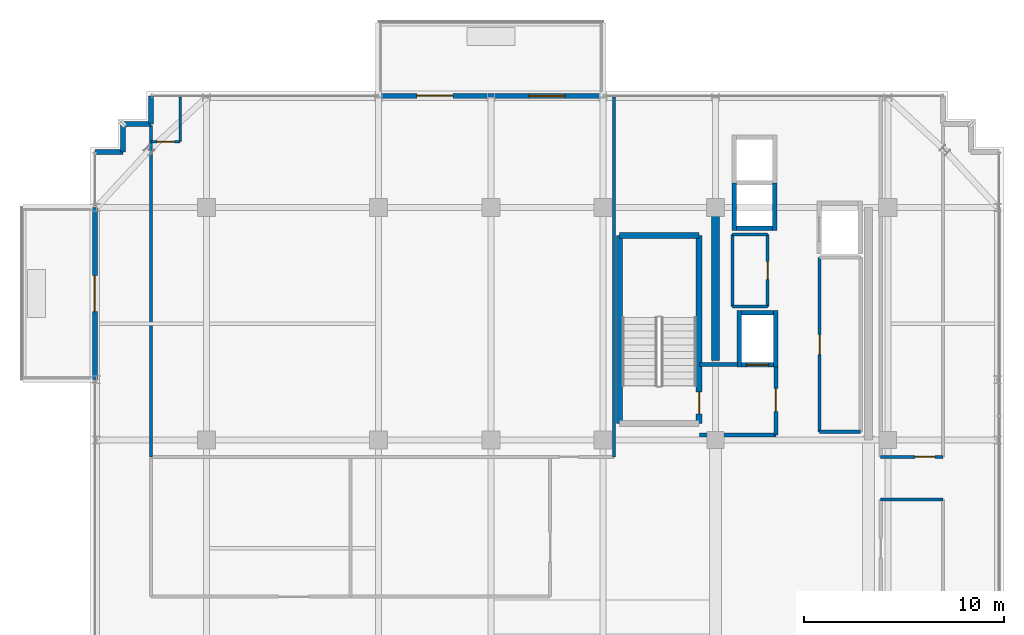
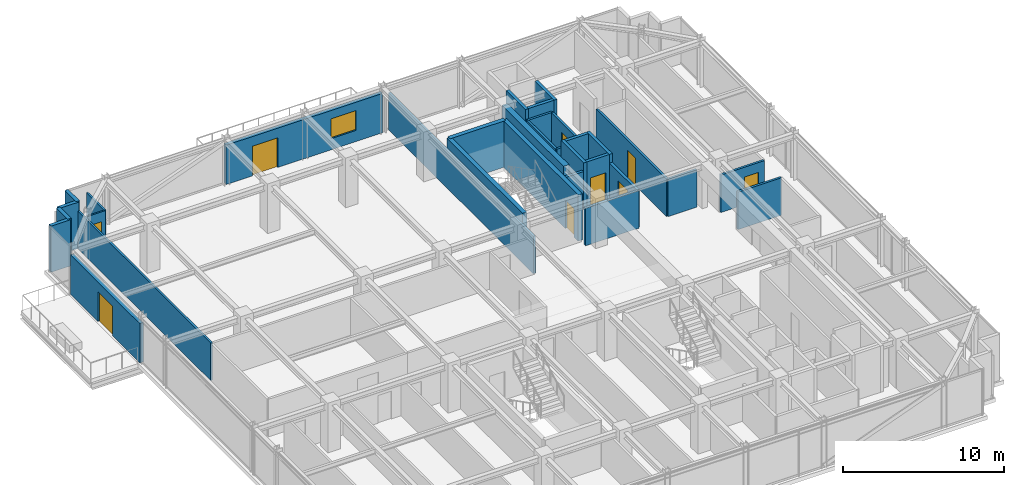
# One storey, part 32 of 36: 32 walls, 9 doors, 1 window, 10 openings.
"""IFC4 building model written with IfcOpenShell, lengths in metres."""

from ifc_helpers import new_model, si_unit, direction, frame, frame_2d, origin, place, context, subcontext, project, spatial, rectangle, extrude, source, transform, mapped, material, layer, layer_set, type_object, element, fill, save


model = new_model("IFC4")

# Units and contexts
model_context = context("Model", 3, precision=1e-05, world=origin(), true_north=direction((0.0, 1.0)))
body_context = subcontext(model_context, "Body", "Model", "MODEL_VIEW")
ifc_project = project(units=[si_unit("LENGTHUNIT", "METRE"), si_unit("AREAUNIT", "SQUARE_METRE"), si_unit("VOLUMEUNIT", "CUBIC_METRE"), si_unit("PLANEANGLEUNIT", "RADIAN"), si_unit("MASSUNIT", "GRAM", prefix="KILO")], contexts=[model_context])

# Site, building, storey
site_placement = place(None, origin())
site = spatial("IfcSite", under=ifc_project, at=site_placement, CompositionType="ELEMENT")
building_placement = place(site_placement, origin())
building = spatial("IfcBuilding", under=site, at=building_placement, Name="Nahalor Promenade Grand Hotel", CompositionType="ELEMENT")
storey_placement = place(building_placement, frame((0.0, 0.0, 319.550048828125)))
storey = spatial("IfcBuildingStorey", under=building, at=storey_placement, Name="L82", CompositionType="ELEMENT", Elevation=319.550048828125)

# Walls
ifc_material_1 = material(Name="Concrete B-50 (C40/50)", Category="concrete")
ifc_layer_1 = layer(ifc_material_1, 0.39990234375)
ifc_layer_set_1 = layer_set([ifc_layer_1], Name="Concrete B-50 (C40/50)")
wall_type_1 = type_object("IfcWallType", Name="Wall-CoreShear-400", PredefinedType="SHEAR", material=ifc_layer_set_1)
shared_shape_1 = source(origin(), body_context, "Body", "SweptSolid", [
    extrude(rectangle(XDim=7.64990234375, YDim=0.39990234375, at=frame_2d((3.824951171875, 0.0))), origin(), (0.0, 0.0, 1.0), 3.5),
])
wall_1_placement = place(storey_placement, frame((8.39990234375, 9.35009765625, 0.0), z_axis=(0.0, 0.0, 1.0), x_axis=(0.0, 1.0, 0.0)))
element("IfcWall", 1, at=wall_1_placement, inside=storey, type_object=wall_type_1, Name="CWALL-L82-NW", PredefinedType="SHEAR", context=body_context, shape_type="MappedRepresentation", body=[
    mapped(shared_shape_1, transform((0.0, 0.0, 0.0), scale=1.0)),
])
ifc_layer_2 = layer(ifc_material_1, 0.300048828125)
ifc_layer_set_2 = layer_set([ifc_layer_2], Name="Concrete B-50 (C40/50)")
wall_type_2 = type_object("IfcWallType", Name="Wall-ShaftShear-300", PredefinedType="SHEAR", material=ifc_layer_set_2)
shared_shape_2 = source(origin(), body_context, "Body", "SweptSolid", [
    extrude(rectangle(XDim=3.97998046875, YDim=0.300048828125, at=frame_2d((1.989990234375, 0.0))), origin(), (0.0, 0.0, 1.0), 3.5),
])
wall_2_placement = place(storey_placement, frame((3.610107421875, 15.590087890625, 0.0), z_axis=(0.0, 0.0, 1.0), x_axis=(1.0, 0.0, 0.0)))
element("IfcWall", 2, at=wall_2_placement, inside=storey, type_object=wall_type_2, Name="L82 Exit Stair ST1 Shaft Wall N", PredefinedType="SHEAR", context=body_context, shape_type="MappedRepresentation", body=[
    mapped(shared_shape_2, transform((0.0, 0.0, 0.0), scale=1.0)),
])
shared_shape_3 = source(origin(), body_context, "Body", "SweptSolid", [
    extrude(rectangle(XDim=9.380126953125, YDim=0.300048828125, at=frame_2d((4.68994140625, 0.0))), origin(), (0.0, 0.0, 1.0), 3.5),
])
wall_3_placement = place(storey_placement, frame((3.610107421875, 6.2099609375, 0.0), z_axis=(0.0, 0.0, 1.0), x_axis=(0.0, 1.0, 0.0)))
element("IfcWall", 3, at=wall_3_placement, inside=storey, type_object=wall_type_2, Name="L82 Exit Stair ST1 Shaft Wall W", PredefinedType="SHEAR", context=body_context, shape_type="MappedRepresentation", body=[
    mapped(shared_shape_3, transform((0.0, 0.0, 0.0), scale=1.0)),
])

# Wall, opening, door
wall_4_placement = place(storey_placement, frame((7.590087890625, 6.2099609375, 0.0), z_axis=(0.0, 0.0, 1.0), x_axis=(0.0, 1.0, 0.0)))
wall_4 = element("IfcWall", 4, at=wall_4_placement, inside=storey, type_object=wall_type_2, Name="L82 Exit Stair ST1 Shaft Wall E", PredefinedType="SHEAR", context=body_context, shape_type="MappedRepresentation", body=[
    mapped(shared_shape_3, transform((0.0, 0.0, 0.0), scale=1.0)),
])
opening_1_placement = place(wall_4_placement, frame((0.489990234375, 0.0, 0.0)))
opening_1 = element("IfcOpeningElement", 5, at=opening_1_placement, cuts=wall_4, Name="Opening D-ST1", PredefinedType="OPENING", context=body_context, shape_type="SweptSolid", body=[
    extrude(rectangle(XDim=1.10009765625, YDim=2.14990234375, at=frame_2d((0.550048828125, 1.074951171875))), frame((0.0, 0.159912109375, 0.0), z_axis=(0.0, -1.0, 0.0), x_axis=(1.0, 0.0, 0.0)), (0.0, 0.0, 1.0), 0.320068359375),
])
ifc_material_2 = material(Name="Steel S355JR", Category="steel")
door_type_1 = type_object("IfcDoorType", Name="Door-StairFire-1100", OperationType="NOTDEFINED", PredefinedType="DOOR", material=ifc_material_2)
shared_shape_4 = source(origin(), body_context, "Body", "SweptSolid", [
    extrude(rectangle(XDim=1.10009765625, YDim=2.14990234375, at=frame_2d((0.550048828125, 1.074951171875))), frame((0.0, 0.02490234375, 0.0), z_axis=(0.0, -1.0, 0.0), x_axis=(1.0, 0.0, 0.0)), (0.0, 0.0, 1.0), 0.050048828125),
])
door_1_placement = place(opening_1_placement, origin())
door_1 = element("IfcDoor", 6, at=door_1_placement, inside=storey, type_object=door_type_1, Name="DR-STAIR-ST1-L82", OperationType="SINGLE_SWING_LEFT", OverallHeight=2.14990234375, OverallWidth=1.10009765625, PredefinedType="DOOR", context=body_context, shape_type="MappedRepresentation", body=[
    mapped(shared_shape_4, transform((0.0, 0.0, 0.0), scale=1.0)),
])
fill(opening_1, door_1)

# Walls
ifc_layer_3 = layer(ifc_material_1, 0.219970703125)
ifc_layer_set_3 = layer_set([ifc_layer_3], Name="Concrete B-50 (C40/50)")
wall_type_3 = type_object("IfcWallType", Name="Wall-LiftShaft-220", PredefinedType="SHEAR", material=ifc_layer_set_3)
shared_shape_5 = source(origin(), body_context, "Body", "SweptSolid", [
    extrude(rectangle(XDim=1.820068359375, YDim=0.219970703125, at=frame_2d((0.91015625, 0.0))), origin(), (0.0, 0.0, 1.0), 3.5),
])
wall_5_placement = place(storey_placement, frame((9.43994140625, 15.949951171875, 0.0), z_axis=(0.0, 0.0, 1.0), x_axis=(1.0, 0.0, 0.0)))
element("IfcWall", 7, at=wall_5_placement, inside=storey, type_object=wall_type_3, Name="L82 Lift OB1 Hoistway Wall S", PredefinedType="SHEAR", context=body_context, shape_type="MappedRepresentation", body=[
    mapped(shared_shape_5, transform((0.0, 0.0, 0.0), scale=1.0)),
])
shared_shape_6 = source(origin(), body_context, "Body", "SweptSolid", [
    extrude(rectangle(XDim=2.385009765625, YDim=0.219970703125, at=frame_2d((1.1923828125, 0.0))), origin(), (0.0, 0.0, 1.0), 3.5),
])
for number, where, z_axis, x_axis, name in (
    (8, (9.330078125, 15.840087890625, 0.0), (0.0, 0.0, 1.0), (0.0, 1.0, 0.0), "L82 Lift OB1 Hoistway Wall W"),
    (9, (11.3701171875, 15.840087890625, 0.0), (0.0, 0.0, 1.0), (0.0, 1.0, 0.0), "L82 Lift OB1 Hoistway Wall E"),
):
    element("IfcWall", number, at=place(storey_placement, frame(where, z_axis=z_axis, x_axis=x_axis)), inside=storey, type_object=wall_type_3, Name=name, PredefinedType="SHEAR", context=body_context, shape_type="MappedRepresentation", body=[
        mapped(shared_shape_6, transform((0.0, 0.0, 0.0), scale=1.0)),
    ])
shared_shape_7 = source(origin(), body_context, "Body", "SweptSolid", [
    extrude(rectangle(XDim=2.820068359375, YDim=0.219970703125, at=frame_2d((1.41015625, 0.0))), origin(), (0.0, 0.0, 1.0), 3.5),
])
for number, where, z_axis, x_axis, name in (
    (10, (9.580078125, 9.0400390625, 0.0), (0.0, 0.0, 1.0), (0.0, 1.0, 0.0), "L82 Lift FL1 Hoistway Wall W"),
    (11, (11.419921875, 9.0400390625, 0.0), (0.0, 0.0, 1.0), (0.0, 1.0, 0.0), "L82 Lift FL1 Hoistway Wall E"),
):
    element("IfcWall", number, at=place(storey_placement, frame(where, z_axis=z_axis, x_axis=x_axis)), inside=storey, type_object=wall_type_3, Name=name, PredefinedType="SHEAR", context=body_context, shape_type="MappedRepresentation", body=[
        mapped(shared_shape_7, transform((0.0, 0.0, 0.0), scale=1.0)),
    ])

# Wall, opening, door
shared_shape_8 = source(origin(), body_context, "Body", "SweptSolid", [
    extrude(rectangle(XDim=1.6201171875, YDim=0.219970703125, at=frame_2d((0.81005859375, 0.0))), origin(), (0.0, 0.0, 1.0), 3.5),
])
wall_6_placement = place(storey_placement, frame((9.68994140625, 9.14990234375, 0.0), z_axis=(0.0, 0.0, 1.0), x_axis=(1.0, 0.0, 0.0)))
wall_6 = element("IfcWall", 12, at=wall_6_placement, inside=storey, type_object=wall_type_3, Name="L82 Lift FL1 Hoistway Wall S", PredefinedType="SHEAR", context=body_context, shape_type="MappedRepresentation", body=[
    mapped(shared_shape_8, transform((0.0, 0.0, 0.0), scale=1.0)),
])
opening_2_placement = place(wall_6_placement, frame((0.260009765625, 0.0, 0.0)))
opening_2 = element("IfcOpeningElement", 13, at=opening_2_placement, cuts=wall_6, Name="Opening LD-02", PredefinedType="OPENING", context=body_context, shape_type="SweptSolid", body=[
    extrude(rectangle(XDim=1.10009765625, YDim=2.199951171875, at=frame_2d((0.550048828125, 1.10009765625))), frame((0.0, 0.119873046875, 0.0), z_axis=(0.0, -1.0, 0.0), x_axis=(1.0, 0.0, 0.0)), (0.0, 0.0, 1.0), 0.239990234375),
])
door_type_2 = type_object("IfcDoorType", Name="Door-LiftFF-1100", OperationType="DOUBLE_DOOR_SLIDING", PredefinedType="DOOR", material=ifc_material_2)
shared_shape_9 = source(origin(), body_context, "Body", "SweptSolid", [
    extrude(rectangle(XDim=1.10009765625, YDim=2.199951171875, at=frame_2d((0.550048828125, 1.10009765625))), frame((0.0, 0.02490234375, 0.0), z_axis=(0.0, -1.0, 0.0), x_axis=(1.0, 0.0, 0.0)), (0.0, 0.0, 1.0), 0.050048828125),
])
door_2_placement = place(opening_2_placement, frame((1.10009765625, 0.0, 0.0), z_axis=(0.0, 0.0, 1.0), x_axis=(-1.0, 0.0, 0.0)))
door_2 = element("IfcDoor", 14, at=door_2_placement, inside=storey, type_object=door_type_2, Name="DR-LIFT-FL1-L82", OperationType="DOUBLE_DOOR_SLIDING", OverallHeight=2.199951171875, OverallWidth=1.10009765625, PredefinedType="DOOR", context=body_context, shape_type="MappedRepresentation", body=[
    mapped(shared_shape_9, transform((0.0, 0.0, 0.0), scale=1.0)),
])
fill(opening_2, door_2)

# Walls
wall_7_placement = place(storey_placement, frame((9.68994140625, 11.75, 0.0), z_axis=(0.0, 0.0, 1.0), x_axis=(1.0, 0.0, 0.0)))
element("IfcWall", 15, at=wall_7_placement, inside=storey, type_object=wall_type_3, Name="L82 Lift FL1 Hoistway Wall N", PredefinedType="SHEAR", context=body_context, shape_type="MappedRepresentation", body=[
    mapped(shared_shape_8, transform((0.0, 0.0, 0.0), scale=1.0)),
])
ifc_material_3 = material(Name="Concrete B-40 (C32/40)", Category="concrete")
ifc_layer_4 = layer(ifc_material_3, 0.25)
ifc_layer_set_4 = layer_set([ifc_layer_4], Name="Concrete B-40 (C32/40)")
wall_type_4 = type_object("IfcWallType", Name="Wall-BronzePier-250", PredefinedType="STANDARD", material=ifc_layer_set_4)
shared_shape_10 = source(origin(), body_context, "Body", "SweptSolid", [
    extrude(rectangle(XDim=1.400146484375, YDim=0.25, at=frame_2d((0.7001953125, 0.0))), origin(), (0.0, 0.0, 1.0), 3.5),
])
for number, where, z_axis, x_axis, name in (
    (16, (-19.760009765625, 21.159912109375, 0.0), (0.0, 0.0, 1.0), (0.0, 1.0, 0.0), "W-L82-SR-09"),
    (17, (-22.56005859375, 19.760009765625, 0.0), (0.0, 0.0, 1.0), (1.0, 0.0, 0.0), "W-L82-SR-12"),
):
    element("IfcWall", number, at=place(storey_placement, frame(where, z_axis=z_axis, x_axis=x_axis)), inside=storey, type_object=wall_type_4, Name=name, PredefinedType="STANDARD", context=body_context, shape_type="MappedRepresentation", body=[
        mapped(shared_shape_10, transform((0.0, 0.0, 0.0), scale=1.0)),
    ])
shared_shape_11 = source(origin(), body_context, "Body", "SweptSolid", [
    extrude(rectangle(XDim=1.39990234375, YDim=0.25, at=frame_2d((0.699951171875, 0.0))), origin(), (0.0, 0.0, 1.0), 3.5),
])
for number, where, z_axis, x_axis, name in (
    (18, (-21.159912109375, 21.159912109375, 0.0), (0.0, 0.0, 1.0), (1.0, 0.0, 0.0), "W-L82-SR-10"),
    (19, (-21.159912109375, 19.760009765625, 0.0), (0.0, 0.0, 1.0), (0.0, 1.0, 0.0), "W-L82-SR-11"),
):
    element("IfcWall", number, at=place(storey_placement, frame(where, z_axis=z_axis, x_axis=x_axis)), inside=storey, type_object=wall_type_4, Name=name, PredefinedType="STANDARD", context=body_context, shape_type="MappedRepresentation", body=[
        mapped(shared_shape_11, transform((0.0, 0.0, 0.0), scale=1.0)),
    ])

# Wall, opening, door
ifc_layer_5 = layer(ifc_material_3, 0.260009765625)
ifc_layer_set_5 = layer_set([ifc_layer_5], Name="Concrete B-40 (C32/40)")
wall_type_5 = type_object("IfcWallType", Name="Wall-BalconyWall-260", PredefinedType="STANDARD", material=ifc_layer_set_5)
shared_shape_12 = source(origin(), body_context, "Body", "SweptSolid", [
    extrude(rectangle(XDim=8.60009765625, YDim=0.260009765625, at=frame_2d((4.300048828125, 0.0))), origin(), (0.0, 0.0, 1.0), 2.97998046875),
])
wall_8_placement = place(storey_placement, frame((-22.56005859375, 8.39990234375, 0.0), z_axis=(0.0, 0.0, 1.0), x_axis=(0.0, 1.0, 0.0)))
wall_8 = element("IfcWall", 20, at=wall_8_placement, inside=storey, type_object=wall_type_5, Name="W-L82-BALC-W-2", PredefinedType="STANDARD", context=body_context, shape_type="MappedRepresentation", body=[
    mapped(shared_shape_12, transform((0.0, 0.0, 0.0), scale=1.0)),
])
opening_3_placement = place(wall_8_placement, frame((3.39990234375, 0.0, 0.0)))
opening_3 = element("IfcOpeningElement", 21, at=opening_3_placement, cuts=wall_8, Name="Opening D-BC1", PredefinedType="OPENING", context=body_context, shape_type="SweptSolid", body=[
    extrude(rectangle(XDim=1.800048828125, YDim=2.25, at=frame_2d((0.89990234375, 1.125))), frame((0.0, 0.139892578125, 0.0), z_axis=(0.0, -1.0, 0.0), x_axis=(1.0, 0.0, 0.0)), (0.0, 0.0, 1.0), 0.280029296875),
])
ifc_material_4 = material(Name="Anodised Bronze Aluminium EN AW-6063 T6", Category="aluminium")
door_type_3 = type_object("IfcDoorType", Name="Door-BalconySlide-1800", OperationType="DOUBLE_DOOR_SLIDING", PredefinedType="DOOR", material=ifc_material_4)
shared_shape_13 = source(origin(), body_context, "Body", "SweptSolid", [
    extrude(rectangle(XDim=1.800048828125, YDim=2.25, at=frame_2d((0.89990234375, 1.125))), frame((0.0, 0.02490234375, 0.0), z_axis=(0.0, -1.0, 0.0), x_axis=(1.0, 0.0, 0.0)), (0.0, 0.0, 1.0), 0.050048828125),
])
door_3_placement = place(opening_3_placement, origin())
door_3 = element("IfcDoor", 22, at=door_3_placement, inside=storey, type_object=door_type_3, Name="DR-L82-BALC-W-2", OperationType="DOUBLE_DOOR_SLIDING", OverallHeight=2.25, OverallWidth=1.800048828125, PredefinedType="DOOR", context=body_context, shape_type="MappedRepresentation", body=[
    mapped(shared_shape_13, transform((0.0, 0.0, 0.0), scale=1.0)),
])
fill(opening_3, door_3)

# Wall, openings, door, window
shared_shape_14 = source(origin(), body_context, "Body", "SweptSolid", [
    extrude(rectangle(XDim=11.199951171875, YDim=0.260009765625, at=frame_2d((5.60009765625, 0.0))), origin(), (0.0, 0.0, 1.0), 2.97998046875),
])
wall_9_placement = place(storey_placement, frame((-8.39990234375, 22.56005859375, 0.0), z_axis=(0.0, 0.0, 1.0), x_axis=(1.0, 0.0, 0.0)))
wall_9 = element("IfcWall", 23, at=wall_9_placement, inside=storey, type_object=wall_type_5, Name="W-L82-BALC-N-2", PredefinedType="STANDARD", context=body_context, shape_type="MappedRepresentation", body=[
    mapped(shared_shape_14, transform((0.0, 0.0, 0.0), scale=1.0)),
])
opening_4_placement = place(wall_9_placement, frame((1.89990234375, 0.0, 0.0)))
opening_4 = element("IfcOpeningElement", 24, at=opening_4_placement, cuts=wall_9, Name="Opening D-BC1", PredefinedType="OPENING", context=body_context, shape_type="SweptSolid", body=[
    extrude(rectangle(XDim=1.800048828125, YDim=2.25, at=frame_2d((0.89990234375, 1.125))), frame((0.0, 0.139892578125, 0.0), z_axis=(0.0, -1.0, 0.0), x_axis=(1.0, 0.0, 0.0)), (0.0, 0.0, 1.0), 0.280029296875),
])
opening_5_placement = place(wall_9_placement, frame((7.5, 0.0, 0.85009765625)))
opening_5 = element("IfcOpeningElement", 25, at=opening_5_placement, cuts=wall_9, Name="Opening WN-01", PredefinedType="OPENING", context=body_context, shape_type="SweptSolid", body=[
    extrude(rectangle(XDim=1.800048828125, YDim=1.5, at=frame_2d((0.89990234375, 0.75))), frame((0.0, 0.139892578125, 0.0), z_axis=(0.0, -1.0, 0.0), x_axis=(1.0, 0.0, 0.0)), (0.0, 0.0, 1.0), 0.280029296875),
])
door_4_placement = place(opening_4_placement, origin())
door_4 = element("IfcDoor", 26, at=door_4_placement, inside=storey, type_object=door_type_3, Name="DR-L82-BALC-N-2", OperationType="DOUBLE_DOOR_SLIDING", OverallHeight=2.25, OverallWidth=1.800048828125, PredefinedType="DOOR", context=body_context, shape_type="MappedRepresentation", body=[
    mapped(shared_shape_13, transform((0.0, 0.0, 0.0), scale=1.0)),
])
fill(opening_4, door_4)
ifc_material_5 = material(Name="Low-E Laminated Solar Glass", Category="glass")
window_type = type_object("IfcWindowType", Name="Win-ChicagoBay-1800x1500", PartitioningType="SINGLE_PANEL", PredefinedType="WINDOW", material=ifc_material_5)
shared_shape_15 = source(origin(), body_context, "Body", "SweptSolid", [
    extrude(rectangle(XDim=1.800048828125, YDim=1.5, at=frame_2d((0.89990234375, 0.75))), frame((0.0, 0.030029296875, 0.0), z_axis=(0.0, -1.0, 0.0), x_axis=(1.0, 0.0, 0.0)), (0.0, 0.0, 1.0), 0.06005859375),
])
window_placement = place(opening_5_placement, origin())
window = element("IfcWindow", 27, at=window_placement, inside=storey, type_object=window_type, Name="WN-L82-BALC-N-2-1", OverallHeight=1.5, OverallWidth=1.800048828125, PartitioningType="SINGLE_PANEL", PredefinedType="WINDOW", context=body_context, shape_type="MappedRepresentation", body=[
    mapped(shared_shape_15, transform((0.0, 0.0, 0.0), scale=1.0)),
])
fill(opening_5, window)

# Walls
ifc_layer_6 = layer(ifc_material_3, 0.199951171875)
ifc_layer_set_6 = layer_set([ifc_layer_6], Name="Concrete B-40 (C32/40)")
wall_type_6 = type_object("IfcWallType", Name="Wall-PartFire-200", PredefinedType="PARTITIONING", material=ifc_layer_set_6)
shared_shape_16 = source(origin(), body_context, "Body", "SweptSolid", [
    extrude(rectangle(XDim=3.81982421875, YDim=0.199951171875, at=frame_2d((1.909912109375, 0.0))), origin(), (0.0, 0.0, 1.0), 2.83984375),
])
wall_10_placement = place(storey_placement, frame((7.60009765625, 5.64990234375, 0.0), z_axis=(0.0, 0.0, 1.0), x_axis=(1.0, 0.0, 0.0)))
element("IfcWall", 28, at=wall_10_placement, inside=storey, type_object=wall_type_6, Name="W-L82-FF1-S", PredefinedType="PARTITIONING", context=body_context, shape_type="MappedRepresentation", body=[
    mapped(shared_shape_16, transform((0.0, 0.0, 0.0), scale=1.0)),
])
shared_shape_17 = source(origin(), body_context, "Body", "SweptSolid", [
    extrude(rectangle(XDim=1.89990234375, YDim=0.199951171875, at=frame_2d((0.949951171875, 0.0))), origin(), (0.0, 0.0, 1.0), 2.83984375),
])
wall_11_placement = place(storey_placement, frame((7.60009765625, 9.14990234375, 0.0), z_axis=(0.0, 0.0, 1.0), x_axis=(1.0, 0.0, 0.0)))
element("IfcWall", 29, at=wall_11_placement, inside=storey, type_object=wall_type_6, Name="W-L82-FF1-N", PredefinedType="PARTITIONING", context=body_context, shape_type="MappedRepresentation", body=[
    mapped(shared_shape_17, transform((0.0, 0.0, 0.0), scale=1.0)),
])

# Wall, opening, door
shared_shape_18 = source(origin(), body_context, "Body", "SweptSolid", [
    extrude(rectangle(XDim=3.5, YDim=0.199951171875, at=frame_2d((1.75, 0.0))), origin(), (0.0, 0.0, 1.0), 2.83984375),
])
wall_12_placement = place(storey_placement, frame((11.419921875, 5.64990234375, 0.0), z_axis=(0.0, 0.0, 1.0), x_axis=(0.0, 1.0, 0.0)))
wall_12 = element("IfcWall", 30, at=wall_12_placement, inside=storey, type_object=wall_type_6, Name="W-L82-FF1-E", PredefinedType="PARTITIONING", context=body_context, shape_type="MappedRepresentation", body=[
    mapped(shared_shape_18, transform((0.0, 0.0, 0.0), scale=1.0)),
])
opening_6_placement = place(wall_12_placement, frame((1.175048828125, 0.0, 0.0)))
opening_6 = element("IfcOpeningElement", 31, at=opening_6_placement, cuts=wall_12, Name="Opening D-FF1", PredefinedType="OPENING", context=body_context, shape_type="SweptSolid", body=[
    extrude(rectangle(XDim=1.14990234375, YDim=2.14990234375, at=frame_2d((0.574951171875, 1.074951171875))), frame((0.0, 0.10986328125, 0.0), z_axis=(0.0, -1.0, 0.0), x_axis=(1.0, 0.0, 0.0)), (0.0, 0.0, 1.0), 0.219970703125),
])
door_type_4 = type_object("IfcDoorType", Name="Door-FFLobby-1150", OperationType="NOTDEFINED", PredefinedType="DOOR", material=ifc_material_2)
shared_shape_19 = source(origin(), body_context, "Body", "SweptSolid", [
    extrude(rectangle(XDim=1.14990234375, YDim=2.14990234375, at=frame_2d((0.574951171875, 1.074951171875))), frame((0.0, 0.02490234375, 0.0), z_axis=(0.0, -1.0, 0.0), x_axis=(1.0, 0.0, 0.0)), (0.0, 0.0, 1.0), 0.050048828125),
])
door_5_placement = place(opening_6_placement, frame((1.14990234375, 0.0, 0.0), z_axis=(0.0, 0.0, 1.0), x_axis=(-1.0, 0.0, 0.0)))
door_5 = element("IfcDoor", 32, at=door_5_placement, inside=storey, type_object=door_type_4, Name="DR-L82-FFL1", OperationType="SINGLE_SWING_RIGHT", OverallHeight=2.14990234375, OverallWidth=1.14990234375, PredefinedType="DOOR", context=body_context, shape_type="MappedRepresentation", body=[
    mapped(shared_shape_19, transform((0.0, 0.0, 0.0), scale=1.0)),
])
fill(opening_6, door_5)

# Walls
ifc_material_6 = material(Name="Acoustic Mineral Gypsum", Category="gypsum")
ifc_layer_7 = layer(ifc_material_6, 0.14990234375)
ifc_layer_set_7 = layer_set([ifc_layer_7], Name="Acoustic Mineral Gypsum")
wall_type_7 = type_object("IfcWallType", Name="Wall-PartService-150", PredefinedType="PARTITIONING", material=ifc_layer_set_7)
shared_shape_20 = source(origin(), body_context, "Body", "SweptSolid", [
    extrude(rectangle(XDim=1.75, YDim=0.14990234375, at=frame_2d((0.875, 0.0))), origin(), (0.0, 0.0, 1.0), 2.83984375),
])
for number, where, z_axis, x_axis, name in (
    (33, (9.25, 12.050048828125, 0.0), (0.0, 0.0, 1.0), (1.0, 0.0, 0.0), "W-L82-CK1A-S"),
    (34, (9.25, 15.64990234375, 0.0), (0.0, 0.0, 1.0), (1.0, 0.0, 0.0), "W-L82-CK1A-N"),
):
    element("IfcWall", number, at=place(storey_placement, frame(where, z_axis=z_axis, x_axis=x_axis)), inside=storey, type_object=wall_type_7, Name=name, PredefinedType="PARTITIONING", context=body_context, shape_type="MappedRepresentation", body=[
        mapped(shared_shape_20, transform((0.0, 0.0, 0.0), scale=1.0)),
    ])
shared_shape_21 = source(origin(), body_context, "Body", "SweptSolid", [
    extrude(rectangle(XDim=3.599853515625, YDim=0.14990234375, at=frame_2d((1.7998046875, 0.0))), origin(), (0.0, 0.0, 1.0), 2.83984375),
])
wall_13_placement = place(storey_placement, frame((9.25, 12.050048828125, 0.0), z_axis=(0.0, 0.0, 1.0), x_axis=(0.0, 1.0, 0.0)))
element("IfcWall", 35, at=wall_13_placement, inside=storey, type_object=wall_type_7, Name="W-L82-CK1A-W", PredefinedType="PARTITIONING", context=body_context, shape_type="MappedRepresentation", body=[
    mapped(shared_shape_21, transform((0.0, 0.0, 0.0), scale=1.0)),
])

# Wall, opening, door
wall_14_placement = place(storey_placement, frame((11.0, 12.050048828125, 0.0), z_axis=(0.0, 0.0, 1.0), x_axis=(0.0, 1.0, 0.0)))
wall_14 = element("IfcWall", 36, at=wall_14_placement, inside=storey, type_object=wall_type_7, Name="W-L82-CK1A-E", PredefinedType="PARTITIONING", context=body_context, shape_type="MappedRepresentation", body=[
    mapped(shared_shape_21, transform((0.0, 0.0, 0.0), scale=1.0)),
])
opening_7_placement = place(wall_14_placement, frame((1.360107421875, 0.0, 0.0)))
opening_7 = element("IfcOpeningElement", 37, at=opening_7_placement, cuts=wall_14, Name="Opening D-03", PredefinedType="OPENING", context=body_context, shape_type="SweptSolid", body=[
    extrude(rectangle(XDim=0.8798828125, YDim=2.10009765625, at=frame_2d((0.43994140625, 1.050048828125))), frame((0.0, 0.0849609375, 0.0), z_axis=(0.0, -1.0, 0.0), x_axis=(1.0, 0.0, 0.0)), (0.0, 0.0, 1.0), 0.169921875),
])
ifc_material_7 = material(Name="Fire-Rated Timber Composite", Category="wood")
door_type_5 = type_object("IfcDoorType", Name="Door-BathSwing-880", OperationType="NOTDEFINED", PredefinedType="DOOR", material=ifc_material_7)
shared_shape_22 = source(origin(), body_context, "Body", "SweptSolid", [
    extrude(rectangle(XDim=0.8798828125, YDim=2.10009765625, at=frame_2d((0.43994140625, 1.050048828125))), frame((0.0, 0.02490234375, 0.0), z_axis=(0.0, -1.0, 0.0), x_axis=(1.0, 0.0, 0.0)), (0.0, 0.0, 1.0), 0.050048828125),
])
door_6_placement = place(opening_7_placement, origin())
door_6 = element("IfcDoor", 38, at=door_6_placement, inside=storey, type_object=door_type_5, Name="DR-L82-CK1A", OperationType="SINGLE_SWING_RIGHT", OverallHeight=2.10009765625, OverallWidth=0.8798828125, PredefinedType="DOOR", context=body_context, shape_type="MappedRepresentation", body=[
    mapped(shared_shape_22, transform((0.0, 0.0, 0.0), scale=1.0)),
])
fill(opening_7, door_6)

# Wall
ifc_layer_8 = layer(ifc_material_6, 0.159912109375)
ifc_layer_set_8 = layer_set([ifc_layer_8], Name="Acoustic Mineral Gypsum")
wall_type_8 = type_object("IfcWallType", Name="Wall-PartCorridor-160", PredefinedType="PARTITIONING", material=ifc_layer_set_8)
shared_shape_23 = source(origin(), body_context, "Body", "SweptSolid", [
    extrude(rectangle(XDim=2.0498046875, YDim=0.159912109375, at=frame_2d((1.02490234375, 0.0))), origin(), (0.0, 0.0, 1.0), 2.83984375),
])
wall_15_placement = place(storey_placement, frame((13.60009765625, 5.800048828125, 0.0), z_axis=(0.0, 0.0, 1.0), x_axis=(1.0, 0.0, 0.0)))
element("IfcWall", 39, at=wall_15_placement, inside=storey, type_object=wall_type_8, Name="W-L82-FRB1-S", PredefinedType="PARTITIONING", context=body_context, shape_type="MappedRepresentation", body=[
    mapped(shared_shape_23, transform((0.0, 0.0, 0.0), scale=1.0)),
])

# Wall, opening, door
shared_shape_24 = source(origin(), body_context, "Body", "SweptSolid", [
    extrude(rectangle(XDim=8.699951171875, YDim=0.159912109375, at=frame_2d((4.35009765625, 0.0))), origin(), (0.0, 0.0, 1.0), 2.83984375),
])
wall_16_placement = place(storey_placement, frame((13.60009765625, 5.800048828125, 0.0), z_axis=(0.0, 0.0, 1.0), x_axis=(0.0, 1.0, 0.0)))
wall_16 = element("IfcWall", 40, at=wall_16_placement, inside=storey, type_object=wall_type_8, Name="W-L82-FRB1-W", PredefinedType="PARTITIONING", context=body_context, shape_type="MappedRepresentation", body=[
    mapped(shared_shape_24, transform((0.0, 0.0, 0.0), scale=1.0)),
])
opening_8_placement = place(wall_16_placement, frame((3.85009765625, 0.0, 0.0)))
opening_8 = element("IfcOpeningElement", 41, at=opening_8_placement, cuts=wall_16, Name="Opening D-04", PredefinedType="OPENING", context=body_context, shape_type="SweptSolid", body=[
    extrude(rectangle(XDim=1.0, YDim=2.10009765625, at=frame_2d((0.5, 1.050048828125))), frame((0.0, 0.08984375, 0.0), z_axis=(0.0, -1.0, 0.0), x_axis=(1.0, 0.0, 0.0)), (0.0, 0.0, 1.0), 0.179931640625),
])
door_type_6 = type_object("IfcDoorType", Name="Door-ServiceFire-1000", OperationType="NOTDEFINED", PredefinedType="DOOR", material=ifc_material_2)
shared_shape_25 = source(origin(), body_context, "Body", "SweptSolid", [
    extrude(rectangle(XDim=1.0, YDim=2.10009765625, at=frame_2d((0.5, 1.050048828125))), frame((0.0, 0.02490234375, 0.0), z_axis=(0.0, -1.0, 0.0), x_axis=(1.0, 0.0, 0.0)), (0.0, 0.0, 1.0), 0.050048828125),
])
door_7_placement = place(opening_8_placement, frame((1.0, 0.0, 0.0), z_axis=(0.0, 0.0, 1.0), x_axis=(-1.0, 0.0, 0.0)))
door_7 = element("IfcDoor", 42, at=door_7_placement, inside=storey, type_object=door_type_6, Name="DR-L82-FRB1", OperationType="SINGLE_SWING_LEFT", OverallHeight=2.10009765625, OverallWidth=1.0, PredefinedType="DOOR", context=body_context, shape_type="MappedRepresentation", body=[
    mapped(shared_shape_25, transform((0.0, 0.0, 0.0), scale=1.0)),
])
fill(opening_8, door_7)

shared_shape_26 = source(origin(), body_context, "Body", "SweptSolid", [
    extrude(rectangle(XDim=3.110107421875, YDim=0.159912109375, at=frame_2d((1.55517578125, 0.0))), origin(), (0.0, 0.0, 1.0), 2.83984375),
])
wall_17_placement = place(storey_placement, frame((16.64990234375, 4.550048828125, 0.0), z_axis=(0.0, 0.0, 1.0), x_axis=(1.0, 0.0, 0.0)))
wall_17 = element("IfcWall", 43, at=wall_17_placement, inside=storey, type_object=wall_type_8, Name="W-L82-ENE-S", PredefinedType="PARTITIONING", context=body_context, shape_type="MappedRepresentation", body=[
    mapped(shared_shape_26, transform((0.0, 0.0, 0.0), scale=1.0)),
])
opening_9_placement = place(wall_17_placement, frame((1.700927734375, 0.0, 0.0)))
opening_9 = element("IfcOpeningElement", 44, at=opening_9_placement, cuts=wall_17, Name="Opening D-04", PredefinedType="OPENING", context=body_context, shape_type="SweptSolid", body=[
    extrude(rectangle(XDim=1.0, YDim=2.10009765625, at=frame_2d((0.5, 1.050048828125))), frame((0.0, 0.08984375, 0.0), z_axis=(0.0, -1.0, 0.0), x_axis=(1.0, 0.0, 0.0)), (0.0, 0.0, 1.0), 0.179931640625),
])
door_8_placement = place(opening_9_placement, origin())
door_8 = element("IfcDoor", 45, at=door_8_placement, inside=storey, type_object=door_type_6, Name="DR-L82-ENE", OperationType="SINGLE_SWING_LEFT", OverallHeight=2.10009765625, OverallWidth=1.0, PredefinedType="DOOR", context=body_context, shape_type="MappedRepresentation", body=[
    mapped(shared_shape_25, transform((0.0, 0.0, 0.0), scale=1.0)),
])
fill(opening_9, door_8)

# Walls
wall_18_placement = place(storey_placement, frame((16.64990234375, 2.419921875, 0.0), z_axis=(0.0, 0.0, 1.0), x_axis=(1.0, 0.0, 0.0)))
element("IfcWall", 46, at=wall_18_placement, inside=storey, type_object=wall_type_8, Name="W-L82-ECW-N", PredefinedType="PARTITIONING", context=body_context, shape_type="MappedRepresentation", body=[
    mapped(shared_shape_26, transform((0.0, 0.0, 0.0), scale=1.0)),
])
ifc_layer_9 = layer(ifc_material_6, 0.139892578125)
ifc_layer_set_9 = layer_set([ifc_layer_9], Name="Acoustic Mineral Gypsum")
wall_type_9 = type_object("IfcWallType", Name="Wall-PartSuite-140", PredefinedType="PARTITIONING", material=ifc_layer_set_9)
shared_shape_27 = source(origin(), body_context, "Body", "SweptSolid", [
    extrude(rectangle(XDim=16.530029296875, YDim=0.139892578125, at=frame_2d((8.26513671875, 0.0))), origin(), (0.0, 0.0, 1.0), 2.83984375),
])
wall_19_placement = place(storey_placement, frame((-19.760009765625, 4.550048828125, 0.0), z_axis=(0.0, 0.0, 1.0), x_axis=(0.0, 1.0, 0.0)))
element("IfcWall", 47, at=wall_19_placement, inside=storey, type_object=wall_type_9, Name="W-L82-NW-ENDW", PredefinedType="PARTITIONING", context=body_context, shape_type="MappedRepresentation", body=[
    mapped(shared_shape_27, transform((0.0, 0.0, 0.0), scale=1.0)),
])
shared_shape_28 = source(origin(), body_context, "Body", "SweptSolid", [
    extrude(rectangle(XDim=17.949951171875, YDim=0.139892578125, at=frame_2d((8.97509765625, 0.0))), origin(), (0.0, 0.0, 1.0), 2.83984375),
])
wall_20_placement = place(storey_placement, frame((3.340087890625, 4.550048828125, 0.0), z_axis=(0.0, 0.0, 1.0), x_axis=(0.0, 1.0, 0.0)))
element("IfcWall", 48, at=wall_20_placement, inside=storey, type_object=wall_type_9, Name="W-L82-NW-ENDE", PredefinedType="PARTITIONING", context=body_context, shape_type="MappedRepresentation", body=[
    mapped(shared_shape_28, transform((0.0, 0.0, 0.0), scale=1.0)),
])

# Wall, opening, door
ifc_layer_10 = layer(ifc_material_6, 0.1201171875)
ifc_layer_set_10 = layer_set([ifc_layer_10], Name="Acoustic Mineral Gypsum")
wall_type_10 = type_object("IfcWallType", Name="Wall-PartBath-120", PredefinedType="PARTITIONING", material=ifc_layer_set_10)
shared_shape_29 = source(origin(), body_context, "Body", "SweptSolid", [
    extrude(rectangle(XDim=1.449951171875, YDim=0.1201171875, at=frame_2d((0.72509765625, 0.0))), origin(), (0.0, 0.0, 1.0), 2.83984375),
])
wall_21_placement = place(storey_placement, frame((-19.760009765625, 20.280029296875, 0.0), z_axis=(0.0, 0.0, 1.0), x_axis=(1.0, 0.0, 0.0)))
wall_21 = element("IfcWall", 49, at=wall_21_placement, inside=storey, type_object=wall_type_10, Name="W-L82-N1-BH", PredefinedType="PARTITIONING", context=body_context, shape_type="MappedRepresentation", body=[
    mapped(shared_shape_29, transform((0.0, 0.0, 0.0), scale=1.0)),
])
opening_10_placement = place(wall_21_placement, frame((0.284912109375, 0.0, 0.0)))
opening_10 = element("IfcOpeningElement", 50, at=opening_10_placement, cuts=wall_21, Name="Opening D-03", PredefinedType="OPENING", context=body_context, shape_type="SweptSolid", body=[
    extrude(rectangle(XDim=0.8798828125, YDim=2.10009765625, at=frame_2d((0.43994140625, 1.050048828125))), frame((0.0, 0.070068359375, 0.0), z_axis=(0.0, -1.0, 0.0), x_axis=(1.0, 0.0, 0.0)), (0.0, 0.0, 1.0), 0.14013671875),
])
door_9_placement = place(opening_10_placement, origin())
door_9 = element("IfcDoor", 51, at=door_9_placement, inside=storey, type_object=door_type_5, Name="DR-L82-N1-BATH", OperationType="SINGLE_SWING_LEFT", OverallHeight=2.10009765625, OverallWidth=0.8798828125, PredefinedType="DOOR", context=body_context, shape_type="MappedRepresentation", body=[
    mapped(shared_shape_22, transform((0.0, 0.0, 0.0), scale=1.0)),
])
fill(opening_10, door_9)

# Wall
shared_shape_30 = source(origin(), body_context, "Body", "SweptSolid", [
    extrude(rectangle(XDim=2.219970703125, YDim=0.1201171875, at=frame_2d((1.10986328125, 0.0))), origin(), (0.0, 0.0, 1.0), 2.83984375),
])
wall_22_placement = place(storey_placement, frame((-18.31005859375, 20.280029296875, 0.0), z_axis=(0.0, 0.0, 1.0), x_axis=(0.0, 1.0, 0.0)))
element("IfcWall", 52, at=wall_22_placement, inside=storey, type_object=wall_type_10, Name="W-L82-N1-BV", PredefinedType="PARTITIONING", context=body_context, shape_type="MappedRepresentation", body=[
    mapped(shared_shape_30, transform((0.0, 0.0, 0.0), scale=1.0)),
])

save(model, "model.ifc")
